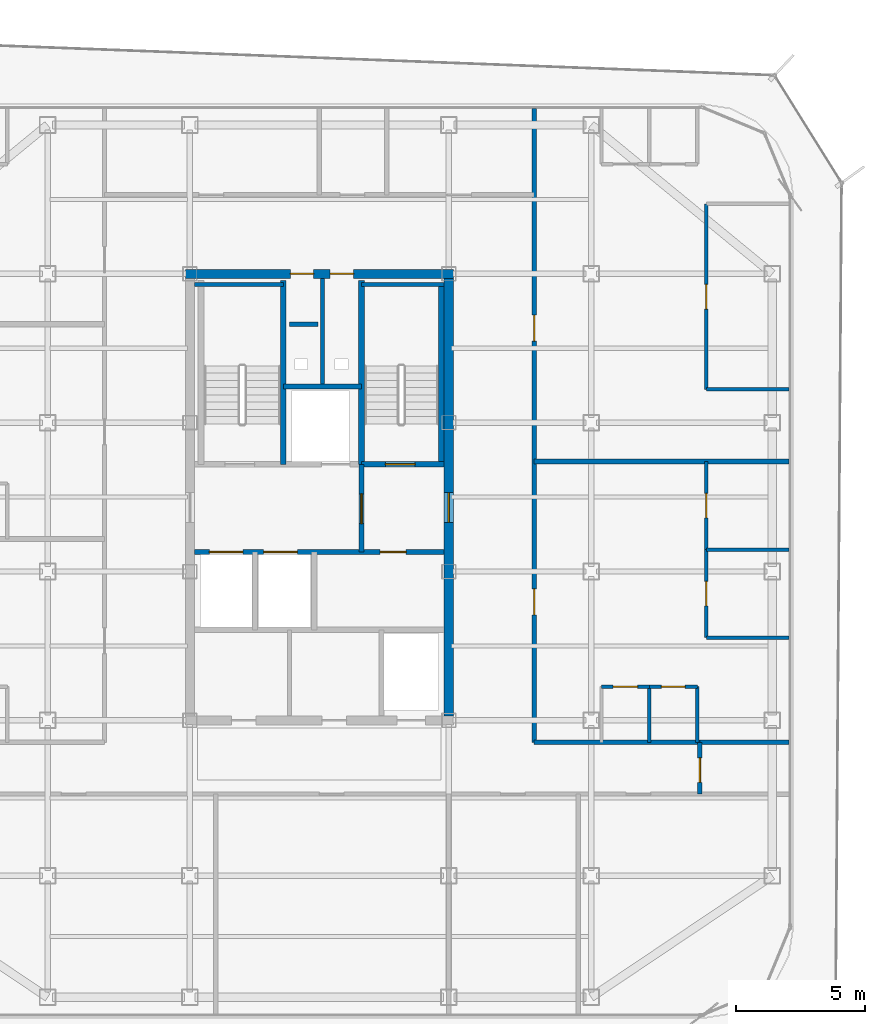
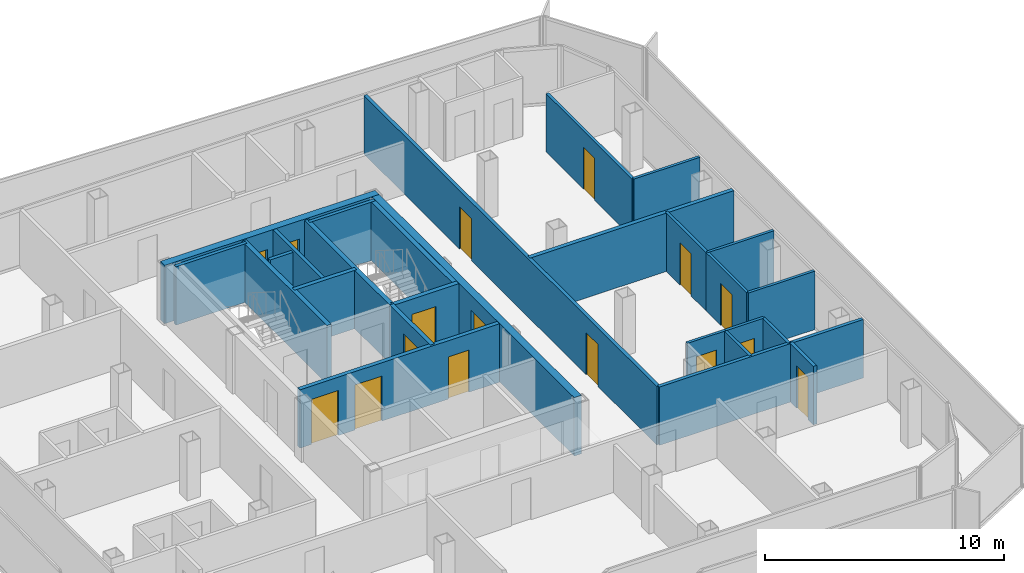
# One storey, part 11 of 15: 28 walls, 16 doors, 16 openings.
"""IFC4 building model written with IfcOpenShell, lengths in metres."""

from ifc_helpers import new_model, si_unit, direction, frame, frame_2d, origin, place, context, subcontext, project, spatial, rectangle, extrude, material, layer, layer_set, type_object, element, fill, save


model = new_model("IFC4")

# Units and contexts
model_context = context("Model", 3, precision=1e-05, world=origin(), true_north=direction((0.0, 1.0)))
body_context = subcontext(model_context, "Body", "Model", "MODEL_VIEW")
ifc_project = project(units=[si_unit("LENGTHUNIT", "METRE"), si_unit("AREAUNIT", "SQUARE_METRE"), si_unit("VOLUMEUNIT", "CUBIC_METRE"), si_unit("PLANEANGLEUNIT", "RADIAN"), si_unit("MASSUNIT", "GRAM", prefix="KILO")], contexts=[model_context])

# Site, building, storey
site_placement = place(None, origin())
site = spatial("IfcSite", under=ifc_project, at=site_placement, CompositionType="ELEMENT")
building_placement = place(site_placement, origin())
building = spatial("IfcBuilding", under=site, at=building_placement, Name="Kolveth Station Tower", CompositionType="ELEMENT")
storey_placement = place(building_placement, frame((0.0, 0.0, 229.699951171875)))
storey = spatial("IfcBuildingStorey", under=building, at=storey_placement, Name="L65", CompositionType="ELEMENT", Elevation=229.699951171875)

# Wall, openings, doors
ifc_material_1 = material(Name="Concrete C50/60", Category="concrete")
ifc_layer_1 = layer(ifc_material_1, 0.35009765625)
ifc_layer_set_1 = layer_set([ifc_layer_1], Name="Concrete C50/60")
wall_type_1 = type_object("IfcWallType", Name="Wall_CW-350", PredefinedType="SHEAR", material=ifc_layer_set_1)
wall_1_placement = place(storey_placement, frame((18.324951171875, 28.75, 0.0), z_axis=(0.0, 0.0, 1.0), x_axis=(1.0, 0.0, 0.0)))
wall_1 = element("IfcWall", 1, at=wall_1_placement, inside=storey, type_object=wall_type_1, Name="L65 Core RC Shear Wall N", PredefinedType="SHEAR", context=body_context, shape_type="SweptSolid", body=[
    extrude(rectangle(XDim=10.35009765625, YDim=0.35009765625, at=frame_2d((5.175048828125, 0.0))), origin(), (0.0, 0.0, 1.0), 2.97998046875),
])
opening_1_placement = place(wall_1_placement, frame((4.054931640625, 0.0, 0.0)))
opening_1 = element("IfcOpeningElement", 2, at=opening_1_placement, cuts=wall_1, Name="Opening RD1", PredefinedType="OPENING", context=body_context, shape_type="SweptSolid", body=[
    extrude(rectangle(XDim=0.89990234375, YDim=2.050048828125, at=frame_2d((0.449951171875, 1.02490234375))), frame((0.0, 0.18505859375, 0.0), z_axis=(0.0, -1.0, 0.0), x_axis=(1.0, 0.0, 0.0)), (0.0, 0.0, 1.0), 0.3701171875),
])
opening_2_placement = place(wall_1_placement, frame((5.594970703125, 0.0, 0.0)))
opening_2 = element("IfcOpeningElement", 3, at=opening_2_placement, cuts=wall_1, Name="Opening RD1", PredefinedType="OPENING", context=body_context, shape_type="SweptSolid", body=[
    extrude(rectangle(XDim=0.89990234375, YDim=2.050048828125, at=frame_2d((0.449951171875, 1.02490234375))), frame((0.0, 0.18505859375, 0.0), z_axis=(0.0, -1.0, 0.0), x_axis=(1.0, 0.0, 0.0)), (0.0, 0.0, 1.0), 0.3701171875),
])
ifc_material_2 = material(Name="Fire-rated Steel S355 riser access leaf", Category="steel")
door_type_1 = type_object("IfcDoorType", Name="Door_RD1", OperationType="NOTDEFINED", PredefinedType="DOOR", material=ifc_material_2)
door_1_placement = place(opening_1_placement, origin())
door_1 = element("IfcDoor", 4, at=door_1_placement, inside=storey, type_object=door_type_1, Name="L65 Electrical Riser Access Door", OperationType="SINGLE_SWING_LEFT", OverallHeight=2.050048828125, OverallWidth=0.89990234375, PredefinedType="DOOR", context=body_context, shape_type="SweptSolid", body=[
    extrude(rectangle(XDim=0.89990234375, YDim=2.050048828125, at=frame_2d((0.449951171875, 1.02490234375))), frame((0.0, 0.02490234375, 0.0), z_axis=(0.0, -1.0, 0.0), x_axis=(1.0, 0.0, 0.0)), (0.0, 0.0, 1.0), 0.050048828125),
])
fill(opening_1, door_1)
door_2_placement = place(opening_2_placement, origin())
door_2 = element("IfcDoor", 5, at=door_2_placement, inside=storey, type_object=door_type_1, Name="L65 Smoke Duct Access Door", OperationType="SINGLE_SWING_RIGHT", OverallHeight=2.050048828125, OverallWidth=0.89990234375, PredefinedType="DOOR", context=body_context, shape_type="SweptSolid", body=[
    extrude(rectangle(XDim=0.89990234375, YDim=2.050048828125, at=frame_2d((0.449951171875, 1.02490234375))), frame((0.0, 0.02490234375, 0.0), z_axis=(0.0, -1.0, 0.0), x_axis=(1.0, 0.0, 0.0)), (0.0, 0.0, 1.0), 0.050048828125),
])
fill(opening_2, door_2)

# Wall, opening, door
wall_2_placement = place(storey_placement, frame((28.5, 11.675048828125, 0.0), z_axis=(0.0, 0.0, 1.0), x_axis=(0.0, 1.0, 0.0)))
wall_2 = element("IfcWall", 6, at=wall_2_placement, inside=storey, type_object=wall_type_1, Name="L65 Core RC Shear Wall E", PredefinedType="SHEAR", context=body_context, shape_type="SweptSolid", body=[
    extrude(rectangle(XDim=16.89990234375, YDim=0.35009765625, at=frame_2d((8.449951171875, 0.0))), origin(), (0.0, 0.0, 1.0), 2.97998046875),
])
opening_3_placement = place(wall_2_placement, frame((7.47509765625, 0.0, 0.0)))
opening_3 = element("IfcOpeningElement", 7, at=opening_3_placement, cuts=wall_2, Name="Opening FD1", PredefinedType="OPENING", context=body_context, shape_type="SweptSolid", body=[
    extrude(rectangle(XDim=1.14990234375, YDim=2.199951171875, at=frame_2d((0.574951171875, 1.10009765625))), frame((0.0, 0.18505859375, 0.0), z_axis=(0.0, -1.0, 0.0), x_axis=(1.0, 0.0, 0.0)), (0.0, 0.0, 1.0), 0.3701171875),
])
ifc_material_3 = material(Name="Fire-rated Steel S355 leaf and frame", Category="steel")
door_type_2 = type_object("IfcDoorType", Name="Door_FD1", OperationType="NOTDEFINED", PredefinedType="DOOR", material=ifc_material_3)
door_3_placement = place(opening_3_placement, origin())
door_3 = element("IfcDoor", 8, at=door_3_placement, inside=storey, type_object=door_type_2, Name="L65 East Corridor to Stair Lobby Door", OperationType="SINGLE_SWING_LEFT", OverallHeight=2.199951171875, OverallWidth=1.14990234375, PredefinedType="DOOR", context=body_context, shape_type="SweptSolid", body=[
    extrude(rectangle(XDim=1.14990234375, YDim=2.199951171875, at=frame_2d((0.574951171875, 1.10009765625))), frame((0.0, 0.02490234375, 0.0), z_axis=(0.0, -1.0, 0.0), x_axis=(1.0, 0.0, 0.0)), (0.0, 0.0, 1.0), 0.050048828125),
])
fill(opening_3, door_3)

ifc_material_4 = material(Name="Moisture-resistant gypsum partition")
ifc_layer_2 = layer(ifc_material_4, 0.135009765625)
ifc_layer_set_2 = layer_set([ifc_layer_2], Name="Moisture-resistant gypsum partition")
wall_type_2 = type_object("IfcWallType", Name="Wall_IW-135", PredefinedType="PARTITIONING", material=ifc_layer_set_2)
wall_3_placement = place(storey_placement, frame((34.39990234375, 12.800048828125, 0.0), z_axis=(0.0, 0.0, 1.0), x_axis=(1.0, 0.0, 0.0)))
wall_3 = element("IfcWall", 9, at=wall_3_placement, inside=storey, type_object=wall_type_2, Name="L65 Partition Wall WL-L65-E1-IBHK", PredefinedType="PARTITIONING", context=body_context, shape_type="SweptSolid", body=[
    extrude(rectangle(XDim=1.85009765625, YDim=0.135009765625, at=frame_2d((0.925048828125, 0.0))), origin(), (0.0, 0.0, 1.0), 2.97998046875),
])
opening_4_placement = place(wall_3_placement, frame((0.445068359375, 0.0, 0.0)))
opening_4 = element("IfcOpeningElement", 10, at=opening_4_placement, cuts=wall_3, Name="Opening ID1", PredefinedType="OPENING", context=body_context, shape_type="SweptSolid", body=[
    extrude(rectangle(XDim=0.949951171875, YDim=2.14990234375, at=frame_2d((0.47509765625, 1.074951171875))), frame((0.0, 0.077392578125, 0.0), z_axis=(0.0, -1.0, 0.0), x_axis=(1.0, 0.0, 0.0)), (0.0, 0.0, 1.0), 0.155029296875),
])
ifc_material_5 = material(Name="Acoustic hardwood leaf and aluminium frame", Category="wood")
door_type_3 = type_object("IfcDoorType", Name="Door_ID1", OperationType="NOTDEFINED", PredefinedType="DOOR", material=ifc_material_5)
door_4_placement = place(opening_4_placement, origin())
door_4 = element("IfcDoor", 11, at=door_4_placement, inside=storey, type_object=door_type_3, Name="Penthouse Flat L65-E1 Kitchen Door", OperationType="SINGLE_SWING_LEFT", OverallHeight=2.14990234375, OverallWidth=0.949951171875, PredefinedType="DOOR", context=body_context, shape_type="SweptSolid", body=[
    extrude(rectangle(XDim=0.949951171875, YDim=2.14990234375, at=frame_2d((0.47509765625, 1.074951171875))), frame((0.0, 0.02490234375, 0.0), z_axis=(0.0, -1.0, 0.0), x_axis=(1.0, 0.0, 0.0)), (0.0, 0.0, 1.0), 0.050048828125),
])
fill(opening_4, door_4)

wall_4_placement = place(storey_placement, frame((36.25, 12.800048828125, 0.0), z_axis=(0.0, 0.0, 1.0), x_axis=(1.0, 0.0, 0.0)))
wall_4 = element("IfcWall", 12, at=wall_4_placement, inside=storey, type_object=wall_type_2, Name="L65 Partition Wall WL-L65-E1-IBHB", PredefinedType="PARTITIONING", context=body_context, shape_type="SweptSolid", body=[
    extrude(rectangle(XDim=1.85009765625, YDim=0.135009765625, at=frame_2d((0.925048828125, 0.0))), origin(), (0.0, 0.0, 1.0), 2.97998046875),
])
opening_5_placement = place(wall_4_placement, frame((0.465087890625, 0.0, 0.0)))
opening_5 = element("IfcOpeningElement", 13, at=opening_5_placement, cuts=wall_4, Name="Opening ID2", PredefinedType="OPENING", context=body_context, shape_type="SweptSolid", body=[
    extrude(rectangle(XDim=0.919921875, YDim=2.10009765625, at=frame_2d((0.4599609375, 1.050048828125))), frame((0.0, 0.077392578125, 0.0), z_axis=(0.0, -1.0, 0.0), x_axis=(1.0, 0.0, 0.0)), (0.0, 0.0, 1.0), 0.155029296875),
])
ifc_material_6 = material(Name="Moisture-resistant hardwood leaf", Category="wood")
door_type_4 = type_object("IfcDoorType", Name="Door_ID2", OperationType="NOTDEFINED", PredefinedType="DOOR", material=ifc_material_6)
door_5_placement = place(opening_5_placement, origin())
door_5 = element("IfcDoor", 14, at=door_5_placement, inside=storey, type_object=door_type_4, Name="Penthouse Flat L65-E1 Bathroom Door", OperationType="SINGLE_SWING_LEFT", OverallHeight=2.10009765625, OverallWidth=0.919921875, PredefinedType="DOOR", context=body_context, shape_type="SweptSolid", body=[
    extrude(rectangle(XDim=0.919921875, YDim=2.10009765625, at=frame_2d((0.4599609375, 1.050048828125))), frame((0.0, 0.02490234375, 0.0), z_axis=(0.0, -1.0, 0.0), x_axis=(1.0, 0.0, 0.0)), (0.0, 0.0, 1.0), 0.050048828125),
])
fill(opening_5, door_5)

# Walls
for number, where, z_axis, x_axis, name in (
    (15, (36.25, 10.64990234375, 0.0), (0.0, 0.0, 1.0), (0.0, 1.0, 0.0), "L65 Partition Wall WL-L65-E1-IBV1"),
    (16, (38.10009765625, 10.64990234375, 0.0), (0.0, 0.0, 1.0), (0.0, 1.0, 0.0), "L65 Partition Wall WL-L65-E1-IBV2"),
):
    element("IfcWall", number, at=place(storey_placement, frame(where, z_axis=z_axis, x_axis=x_axis)), inside=storey, type_object=wall_type_2, Name=name, PredefinedType="PARTITIONING", context=body_context, shape_type="SweptSolid", body=[
        extrude(rectangle(XDim=2.150146484375, YDim=0.135009765625, at=frame_2d((1.0751953125, 0.0))), origin(), (0.0, 0.0, 1.0), 2.97998046875),
    ])
wall_5_placement = place(storey_placement, frame((38.449951171875, 14.699951171875, 0.0), z_axis=(0.0, 0.0, 1.0), x_axis=(1.0, 0.0, 0.0)))
element("IfcWall", 17, at=wall_5_placement, inside=storey, type_object=wall_type_2, Name="L65 Partition Wall WL-L65-E1-BDH0", PredefinedType="PARTITIONING", context=body_context, shape_type="SweptSolid", body=[
    extrude(rectangle(XDim=3.18994140625, YDim=0.135009765625, at=frame_2d((1.594970703125, 0.0))), origin(), (0.0, 0.0, 1.0), 2.97998046875),
])

# Wall, opening, door
wall_6_placement = place(storey_placement, frame((38.449951171875, 14.699951171875, 0.0), z_axis=(0.0, 0.0, 1.0), x_axis=(0.0, 1.0, 0.0)))
wall_6 = element("IfcWall", 18, at=wall_6_placement, inside=storey, type_object=wall_type_2, Name="L65 Partition Wall WL-L65-E1-BDV1", PredefinedType="PARTITIONING", context=body_context, shape_type="SweptSolid", body=[
    extrude(rectangle(XDim=3.400146484375, YDim=0.135009765625, at=frame_2d((1.7001953125, 0.0))), origin(), (0.0, 0.0, 1.0), 2.97998046875),
])
opening_6_placement = place(wall_6_placement, frame((1.219970703125, 0.0, 0.0)))
opening_6 = element("IfcOpeningElement", 19, at=opening_6_placement, cuts=wall_6, Name="Opening ID1", PredefinedType="OPENING", context=body_context, shape_type="SweptSolid", body=[
    extrude(rectangle(XDim=0.949951171875, YDim=2.14990234375, at=frame_2d((0.47509765625, 1.074951171875))), frame((0.0, 0.077392578125, 0.0), z_axis=(0.0, -1.0, 0.0), x_axis=(1.0, 0.0, 0.0)), (0.0, 0.0, 1.0), 0.155029296875),
])
door_6_placement = place(opening_6_placement, frame((0.949951171875, 0.0, 0.0), z_axis=(0.0, 0.0, 1.0), x_axis=(-1.0, 0.0, 0.0)))
door_6 = element("IfcDoor", 20, at=door_6_placement, inside=storey, type_object=door_type_3, Name="Penthouse Flat L65-E1 Bedroom 1 Door", OperationType="SINGLE_SWING_RIGHT", OverallHeight=2.14990234375, OverallWidth=0.949951171875, PredefinedType="DOOR", context=body_context, shape_type="SweptSolid", body=[
    extrude(rectangle(XDim=0.949951171875, YDim=2.14990234375, at=frame_2d((0.47509765625, 1.074951171875))), frame((0.0, 0.02490234375, 0.0), z_axis=(0.0, -1.0, 0.0), x_axis=(1.0, 0.0, 0.0)), (0.0, 0.0, 1.0), 0.050048828125),
])
fill(opening_6, door_6)

wall_7_placement = place(storey_placement, frame((38.449951171875, 18.10009765625, 0.0), z_axis=(0.0, 0.0, 1.0), x_axis=(0.0, 1.0, 0.0)))
wall_7 = element("IfcWall", 21, at=wall_7_placement, inside=storey, type_object=wall_type_2, Name="L65 Partition Wall WL-L65-E1-BDV2", PredefinedType="PARTITIONING", context=body_context, shape_type="SweptSolid", body=[
    extrude(rectangle(XDim=3.39990234375, YDim=0.135009765625, at=frame_2d((1.699951171875, 0.0))), origin(), (0.0, 0.0, 1.0), 2.97998046875),
])
opening_7_placement = place(wall_7_placement, frame((1.219970703125, 0.0, 0.0)))
opening_7 = element("IfcOpeningElement", 22, at=opening_7_placement, cuts=wall_7, Name="Opening ID1", PredefinedType="OPENING", context=body_context, shape_type="SweptSolid", body=[
    extrude(rectangle(XDim=0.949951171875, YDim=2.14990234375, at=frame_2d((0.47509765625, 1.074951171875))), frame((0.0, 0.077392578125, 0.0), z_axis=(0.0, -1.0, 0.0), x_axis=(1.0, 0.0, 0.0)), (0.0, 0.0, 1.0), 0.155029296875),
])
door_7_placement = place(opening_7_placement, frame((0.949951171875, 0.0, 0.0), z_axis=(0.0, 0.0, 1.0), x_axis=(-1.0, 0.0, 0.0)))
door_7 = element("IfcDoor", 23, at=door_7_placement, inside=storey, type_object=door_type_3, Name="Penthouse Flat L65-E1 Bedroom 2 Door", OperationType="SINGLE_SWING_LEFT", OverallHeight=2.14990234375, OverallWidth=0.949951171875, PredefinedType="DOOR", context=body_context, shape_type="SweptSolid", body=[
    extrude(rectangle(XDim=0.949951171875, YDim=2.14990234375, at=frame_2d((0.47509765625, 1.074951171875))), frame((0.0, 0.02490234375, 0.0), z_axis=(0.0, -1.0, 0.0), x_axis=(1.0, 0.0, 0.0)), (0.0, 0.0, 1.0), 0.050048828125),
])
fill(opening_7, door_7)

# Walls
for number, where, z_axis, x_axis, name in (
    (24, (38.449951171875, 18.10009765625, 0.0), (0.0, 0.0, 1.0), (1.0, 0.0, 0.0), "L65 Partition Wall WL-L65-E1-BDH1"),
    (25, (38.449951171875, 24.285888671875, 0.0), (0.0, 0.0, 1.0), (1.0, 0.0, 0.0), "L65 Partition Wall WL-L65-E2-BDH0"),
):
    element("IfcWall", number, at=place(storey_placement, frame(where, z_axis=z_axis, x_axis=x_axis)), inside=storey, type_object=wall_type_2, Name=name, PredefinedType="PARTITIONING", context=body_context, shape_type="SweptSolid", body=[
        extrude(rectangle(XDim=3.18994140625, YDim=0.135009765625, at=frame_2d((1.594970703125, 0.0))), origin(), (0.0, 0.0, 1.0), 2.97998046875),
    ])

# Wall, opening, door
wall_8_placement = place(storey_placement, frame((38.449951171875, 24.285888671875, 0.0), z_axis=(0.0, 0.0, 1.0), x_axis=(0.0, 1.0, 0.0)))
wall_8 = element("IfcWall", 26, at=wall_8_placement, inside=storey, type_object=wall_type_2, Name="L65 Partition Wall WL-L65-E2-BDV1", PredefinedType="PARTITIONING", context=body_context, shape_type="SweptSolid", body=[
    extrude(rectangle(XDim=7.1640625, YDim=0.135009765625, at=frame_2d((3.58203125, 0.0))), origin(), (0.0, 0.0, 1.0), 2.97998046875),
])
opening_8_placement = place(wall_8_placement, frame((3.10205078125, 0.0, 0.0)))
opening_8 = element("IfcOpeningElement", 27, at=opening_8_placement, cuts=wall_8, Name="Opening ID1", PredefinedType="OPENING", context=body_context, shape_type="SweptSolid", body=[
    extrude(rectangle(XDim=0.949951171875, YDim=2.14990234375, at=frame_2d((0.47509765625, 1.074951171875))), frame((0.0, 0.077392578125, 0.0), z_axis=(0.0, -1.0, 0.0), x_axis=(1.0, 0.0, 0.0)), (0.0, 0.0, 1.0), 0.155029296875),
])
door_8_placement = place(opening_8_placement, frame((0.949951171875, 0.0, 0.0), z_axis=(0.0, 0.0, 1.0), x_axis=(-1.0, 0.0, 0.0)))
door_8 = element("IfcDoor", 28, at=door_8_placement, inside=storey, type_object=door_type_3, Name="Penthouse Flat L65-E2 Bedroom 1 Door", OperationType="SINGLE_SWING_LEFT", OverallHeight=2.14990234375, OverallWidth=0.949951171875, PredefinedType="DOOR", context=body_context, shape_type="SweptSolid", body=[
    extrude(rectangle(XDim=0.949951171875, YDim=2.14990234375, at=frame_2d((0.47509765625, 1.074951171875))), frame((0.0, 0.02490234375, 0.0), z_axis=(0.0, -1.0, 0.0), x_axis=(1.0, 0.0, 0.0)), (0.0, 0.0, 1.0), 0.050048828125),
])
fill(opening_8, door_8)

# Walls
ifc_material_7 = material(Name="Acoustic double-stud gypsum partition")
ifc_layer_3 = layer(ifc_material_7, 0.1650390625)
ifc_layer_set_3 = layer_set([ifc_layer_3], Name="Acoustic double-stud gypsum partition")
wall_type_3 = type_object("IfcWallType", Name="Wall_IW-165", PredefinedType="PARTITIONING", material=ifc_layer_set_3)
wall_9_placement = place(storey_placement, frame((18.68505859375, 28.3349609375, 0.0), z_axis=(0.0, 0.0, 1.0), x_axis=(1.0, 0.0, 0.0)))
element("IfcWall", 29, at=wall_9_placement, inside=storey, type_object=wall_type_3, Name="L65 Stair Shaft Wall WL-L65-ST1-N", PredefinedType="PARTITIONING", context=body_context, shape_type="SweptSolid", body=[
    extrude(rectangle(XDim=3.425048828125, YDim=0.1650390625, at=frame_2d((1.71240234375, 0.0))), origin(), (0.0, 0.0, 1.0), 2.97998046875),
])
wall_10_placement = place(storey_placement, frame((25.1298828125, 28.3349609375, 0.0), z_axis=(0.0, 0.0, 1.0), x_axis=(1.0, 0.0, 0.0)))
element("IfcWall", 30, at=wall_10_placement, inside=storey, type_object=wall_type_3, Name="L65 Stair Shaft Wall WL-L65-ST2-N", PredefinedType="PARTITIONING", context=body_context, shape_type="SweptSolid", body=[
    extrude(rectangle(XDim=3.18505859375, YDim=0.1650390625, at=frame_2d((1.592529296875, 0.0))), origin(), (0.0, 0.0, 1.0), 2.97998046875),
])
wall_11_placement = place(storey_placement, frame((23.6201171875, 24.39990234375, 0.0), z_axis=(0.0, 0.0, 1.0), x_axis=(0.0, 1.0, 0.0)))
element("IfcWall", 31, at=wall_11_placement, inside=storey, type_object=wall_type_3, Name="L65 Partition Wall WL-L65-RSR-M", PredefinedType="PARTITIONING", context=body_context, shape_type="SweptSolid", body=[
    extrude(rectangle(XDim=4.1650390625, YDim=0.1650390625, at=frame_2d((2.08251953125, 0.0))), origin(), (0.0, 0.0, 1.0), 2.97998046875),
])
wall_12_placement = place(storey_placement, frame((31.800048828125, 10.64990234375, 0.0), z_axis=(0.0, 0.0, 1.0), x_axis=(1.0, 0.0, 0.0)))
element("IfcWall", 32, at=wall_12_placement, inside=storey, type_object=wall_type_3, Name="L65 Partition Wall WL-L65-RSET", PredefinedType="PARTITIONING", context=body_context, shape_type="SweptSolid", body=[
    extrude(rectangle(XDim=6.39990234375, YDim=0.1650390625, at=frame_2d((3.199951171875, 0.0))), origin(), (0.0, 0.0, 1.0), 2.97998046875),
])

# Wall, opening, door
wall_13_placement = place(storey_placement, frame((38.199951171875, 8.64990234375, 0.0), z_axis=(0.0, 0.0, 1.0), x_axis=(0.0, 1.0, 0.0)))
wall_13 = element("IfcWall", 33, at=wall_13_placement, inside=storey, type_object=wall_type_3, Name="L65 Partition Wall WL-L65-RSEE", PredefinedType="PARTITIONING", context=body_context, shape_type="SweptSolid", body=[
    extrude(rectangle(XDim=2.0, YDim=0.1650390625, at=frame_2d((1.0, 0.0))), origin(), (0.0, 0.0, 1.0), 2.97998046875),
])
opening_9_placement = place(wall_13_placement, frame((0.449951171875, 0.0, 0.0)))
opening_9 = element("IfcOpeningElement", 34, at=opening_9_placement, cuts=wall_13, Name="Opening ID1", PredefinedType="OPENING", context=body_context, shape_type="SweptSolid", body=[
    extrude(rectangle(XDim=0.949951171875, YDim=2.14990234375, at=frame_2d((0.47509765625, 1.074951171875))), frame((0.0, 0.092529296875, 0.0), z_axis=(0.0, -1.0, 0.0), x_axis=(1.0, 0.0, 0.0)), (0.0, 0.0, 1.0), 0.18505859375),
])
door_9_placement = place(opening_9_placement, origin())
door_9 = element("IfcDoor", 35, at=door_9_placement, inside=storey, type_object=door_type_3, Name="L65 Hobby Study Door", OperationType="SINGLE_SWING_LEFT", OverallHeight=2.14990234375, OverallWidth=0.949951171875, PredefinedType="DOOR", context=body_context, shape_type="SweptSolid", body=[
    extrude(rectangle(XDim=0.949951171875, YDim=2.14990234375, at=frame_2d((0.47509765625, 1.074951171875))), frame((0.0, 0.02490234375, 0.0), z_axis=(0.0, -1.0, 0.0), x_axis=(1.0, 0.0, 0.0)), (0.0, 0.0, 1.0), 0.050048828125),
])
fill(opening_9, door_9)

# Wall, openings, doors
wall_14_placement = place(storey_placement, frame((31.800048828125, 10.64990234375, 0.0), z_axis=(0.0, 0.0, 1.0), x_axis=(0.0, 1.0, 0.0)))
wall_14 = element("IfcWall", 36, at=wall_14_placement, inside=storey, type_object=wall_type_3, Name="L65 Partition Wall WL-L65-RE", PredefinedType="PARTITIONING", context=body_context, shape_type="SweptSolid", body=[
    extrude(rectangle(XDim=24.489990234375, YDim=0.1650390625, at=frame_2d((12.2451171875, 0.0))), origin(), (0.0, 0.0, 1.0), 2.97998046875),
])
opening_10_placement = place(wall_14_placement, frame((4.925048828125, 0.0, 0.0)))
opening_10 = element("IfcOpeningElement", 37, at=opening_10_placement, cuts=wall_14, Name="Opening FD3", PredefinedType="OPENING", context=body_context, shape_type="SweptSolid", body=[
    extrude(rectangle(XDim=1.0, YDim=2.14990234375, at=frame_2d((0.5, 1.074951171875))), frame((0.0, 0.092529296875, 0.0), z_axis=(0.0, -1.0, 0.0), x_axis=(1.0, 0.0, 0.0)), (0.0, 0.0, 1.0), 0.18505859375),
])
opening_11_placement = place(wall_14_placement, frame((15.5, 0.0, 0.0)))
opening_11 = element("IfcOpeningElement", 38, at=opening_11_placement, cuts=wall_14, Name="Opening FD3", PredefinedType="OPENING", context=body_context, shape_type="SweptSolid", body=[
    extrude(rectangle(XDim=1.0, YDim=2.14990234375, at=frame_2d((0.5, 1.074951171875))), frame((0.0, 0.092529296875, 0.0), z_axis=(0.0, -1.0, 0.0), x_axis=(1.0, 0.0, 0.0)), (0.0, 0.0, 1.0), 0.18505859375),
])
ifc_material_8 = material(Name="Fire-rated hardwood leaf and aluminium frame", Category="wood")
door_type_5 = type_object("IfcDoorType", Name="Door_FD3", OperationType="NOTDEFINED", PredefinedType="DOOR", material=ifc_material_8)
door_10_placement = place(opening_10_placement, frame((1.0, 0.0, 0.0), z_axis=(0.0, 0.0, 1.0), x_axis=(-1.0, 0.0, 0.0)))
door_10 = element("IfcDoor", 39, at=door_10_placement, inside=storey, type_object=door_type_5, Name="Penthouse Flat L65-E1 Entrance Door", OperationType="SINGLE_SWING_RIGHT", OverallHeight=2.14990234375, OverallWidth=1.0, PredefinedType="DOOR", context=body_context, shape_type="SweptSolid", body=[
    extrude(rectangle(XDim=1.0, YDim=2.14990234375, at=frame_2d((0.5, 1.074951171875))), frame((0.0, 0.02490234375, 0.0), z_axis=(0.0, -1.0, 0.0), x_axis=(1.0, 0.0, 0.0)), (0.0, 0.0, 1.0), 0.050048828125),
])
fill(opening_10, door_10)
door_11_placement = place(opening_11_placement, frame((1.0, 0.0, 0.0), z_axis=(0.0, 0.0, 1.0), x_axis=(-1.0, 0.0, 0.0)))
door_11 = element("IfcDoor", 40, at=door_11_placement, inside=storey, type_object=door_type_5, Name="Penthouse Flat L65-E2 Entrance Door", OperationType="SINGLE_SWING_RIGHT", OverallHeight=2.14990234375, OverallWidth=1.0, PredefinedType="DOOR", context=body_context, shape_type="SweptSolid", body=[
    extrude(rectangle(XDim=1.0, YDim=2.14990234375, at=frame_2d((0.5, 1.074951171875))), frame((0.0, 0.02490234375, 0.0), z_axis=(0.0, -1.0, 0.0), x_axis=(1.0, 0.0, 0.0)), (0.0, 0.0, 1.0), 0.050048828125),
])
fill(opening_11, door_11)

# Walls
wall_15_placement = place(storey_placement, frame((38.199951171875, 10.64990234375, 0.0), z_axis=(0.0, 0.0, 1.0), x_axis=(1.0, 0.0, 0.0)))
element("IfcWall", 41, at=wall_15_placement, inside=storey, type_object=wall_type_3, Name="L65 Partition Wall WL-L65-ESTN", PredefinedType="PARTITIONING", context=body_context, shape_type="SweptSolid", body=[
    extrude(rectangle(XDim=3.43994140625, YDim=0.1650390625, at=frame_2d((1.719970703125, 0.0))), origin(), (0.0, 0.0, 1.0), 2.97998046875),
])
wall_16_placement = place(storey_placement, frame((22.35009765625, 26.800048828125, 0.0), z_axis=(0.0, 0.0, 1.0), x_axis=(1.0, 0.0, 0.0)))
element("IfcWall", 42, at=wall_16_placement, inside=storey, type_object=wall_type_3, Name="L65 Acoustic Riser Dry-Lining Wall", PredefinedType="PARTITIONING", context=body_context, shape_type="SweptSolid", body=[
    extrude(rectangle(XDim=1.099853515625, YDim=0.1650390625, at=frame_2d((0.5498046875, 0.0))), origin(), (0.0, 0.0, 1.0), 2.97998046875),
])
ifc_material_9 = material(Name="Acoustic fire-rated gypsum blockwork", Category="masonry")
ifc_layer_4 = layer(ifc_material_9, 0.199951171875)
ifc_layer_set_4 = layer_set([ifc_layer_4], Name="Acoustic fire-rated gypsum blockwork")
wall_type_4 = type_object("IfcWallType", Name="Wall_IW-200", PredefinedType="PARTITIONING", material=ifc_layer_set_4)
wall_17_placement = place(storey_placement, frame((22.110107421875, 24.39990234375, 0.0), z_axis=(0.0, 0.0, 1.0), x_axis=(1.0, 0.0, 0.0)))
element("IfcWall", 43, at=wall_17_placement, inside=storey, type_object=wall_type_4, Name="L65 Partition Wall WL-L65-RSR-S", PredefinedType="PARTITIONING", context=body_context, shape_type="SweptSolid", body=[
    extrude(rectangle(XDim=3.019775390625, YDim=0.199951171875, at=frame_2d((1.509765625, 0.0))), origin(), (0.0, 0.0, 1.0), 2.97998046875),
])

# Wall, opening, door
wall_18_placement = place(storey_placement, frame((25.1298828125, 18.0, 0.0), z_axis=(0.0, 0.0, 1.0), x_axis=(0.0, 1.0, 0.0)))
wall_18 = element("IfcWall", 44, at=wall_18_placement, inside=storey, type_object=wall_type_4, Name="L65 Partition Wall WL-L65-FFL-E", PredefinedType="PARTITIONING", context=body_context, shape_type="SweptSolid", body=[
    extrude(rectangle(XDim=3.389892578125, YDim=0.199951171875, at=frame_2d((1.69482421875, 0.0))), origin(), (0.0, 0.0, 1.0), 2.97998046875),
])
opening_12_placement = place(wall_18_placement, frame((1.10009765625, 0.0, 0.0)))
opening_12 = element("IfcOpeningElement", 45, at=opening_12_placement, cuts=wall_18, Name="Opening FD1", PredefinedType="OPENING", context=body_context, shape_type="SweptSolid", body=[
    extrude(rectangle(XDim=1.14990234375, YDim=2.199951171875, at=frame_2d((0.574951171875, 1.10009765625))), frame((0.0, 0.10986328125, 0.0), z_axis=(0.0, -1.0, 0.0), x_axis=(1.0, 0.0, 0.0)), (0.0, 0.0, 1.0), 0.219970703125),
])
door_12_placement = place(opening_12_placement, origin())
door_12 = element("IfcDoor", 46, at=door_12_placement, inside=storey, type_object=door_type_2, Name="L65 Firefighting to Stair Lobby Door", OperationType="SINGLE_SWING_LEFT", OverallHeight=2.199951171875, OverallWidth=1.14990234375, PredefinedType="DOOR", context=body_context, shape_type="SweptSolid", body=[
    extrude(rectangle(XDim=1.14990234375, YDim=2.199951171875, at=frame_2d((0.574951171875, 1.10009765625))), frame((0.0, 0.02490234375, 0.0), z_axis=(0.0, -1.0, 0.0), x_axis=(1.0, 0.0, 0.0)), (0.0, 0.0, 1.0), 0.050048828125),
])
fill(opening_12, door_12)

# Wall, openings, doors
wall_19_placement = place(storey_placement, frame((18.68505859375, 18.0, 0.0), z_axis=(0.0, 0.0, 1.0), x_axis=(1.0, 0.0, 0.0)))
wall_19 = element("IfcWall", 47, at=wall_19_placement, inside=storey, type_object=wall_type_4, Name="L65 Partition Wall WL-L65-FFL-S", PredefinedType="PARTITIONING", context=body_context, shape_type="SweptSolid", body=[
    extrude(rectangle(XDim=9.6298828125, YDim=0.199951171875, at=frame_2d((4.81494140625, 0.0))), origin(), (0.0, 0.0, 1.0), 2.97998046875),
])
opening_13_placement = place(wall_19_placement, frame((0.56494140625, 0.0, 0.0)))
opening_13 = element("IfcOpeningElement", 48, at=opening_13_placement, cuts=wall_19, Name="Opening LD2", PredefinedType="OPENING", context=body_context, shape_type="SweptSolid", body=[
    extrude(rectangle(XDim=1.300048828125, YDim=2.300048828125, at=frame_2d((0.64990234375, 1.14990234375))), frame((0.0, 0.10986328125, 0.0), z_axis=(0.0, -1.0, 0.0), x_axis=(1.0, 0.0, 0.0)), (0.0, 0.0, 1.0), 0.219970703125),
])
opening_14_placement = place(wall_19_placement, frame((2.6650390625, 0.0, 0.0)))
opening_14 = element("IfcOpeningElement", 49, at=opening_14_placement, cuts=wall_19, Name="Opening LD2", PredefinedType="OPENING", context=body_context, shape_type="SweptSolid", body=[
    extrude(rectangle(XDim=1.300048828125, YDim=2.300048828125, at=frame_2d((0.64990234375, 1.14990234375))), frame((0.0, 0.10986328125, 0.0), z_axis=(0.0, -1.0, 0.0), x_axis=(1.0, 0.0, 0.0)), (0.0, 0.0, 1.0), 0.219970703125),
])
opening_15_placement = place(wall_19_placement, frame((7.1650390625, 0.0, 0.0)))
opening_15 = element("IfcOpeningElement", 50, at=opening_15_placement, cuts=wall_19, Name="Opening FD3", PredefinedType="OPENING", context=body_context, shape_type="SweptSolid", body=[
    extrude(rectangle(XDim=1.0, YDim=2.14990234375, at=frame_2d((0.5, 1.074951171875))), frame((0.0, 0.10986328125, 0.0), z_axis=(0.0, -1.0, 0.0), x_axis=(1.0, 0.0, 0.0)), (0.0, 0.0, 1.0), 0.219970703125),
])
door_13_placement = place(opening_15_placement, frame((1.0, 0.0, 0.0), z_axis=(0.0, 0.0, 1.0), x_axis=(-1.0, 0.0, 0.0)))
door_13 = element("IfcDoor", 51, at=door_13_placement, inside=storey, type_object=door_type_5, Name="L65 Core Staff Pantry Door", OperationType="SINGLE_SWING_RIGHT", OverallHeight=2.14990234375, OverallWidth=1.0, PredefinedType="DOOR", context=body_context, shape_type="SweptSolid", body=[
    extrude(rectangle(XDim=1.0, YDim=2.14990234375, at=frame_2d((0.5, 1.074951171875))), frame((0.0, 0.02490234375, 0.0), z_axis=(0.0, -1.0, 0.0), x_axis=(1.0, 0.0, 0.0)), (0.0, 0.0, 1.0), 0.050048828125),
])
fill(opening_15, door_13)
ifc_material_10 = material(Name="Firefighting stainless steel sliding landing doors", Category="steel")
door_type_6 = type_object("IfcDoorType", Name="Door_LD2", OperationType="NOTDEFINED", PredefinedType="DOOR", material=ifc_material_10)
door_14_placement = place(opening_13_placement, origin())
door_14 = element("IfcDoor", 52, at=door_14_placement, inside=storey, type_object=door_type_6, Name="L65 Firefighting Lift FF1 Landing Door", OperationType="DOUBLE_DOOR_SLIDING", OverallHeight=2.300048828125, OverallWidth=1.300048828125, PredefinedType="DOOR", context=body_context, shape_type="SweptSolid", body=[
    extrude(rectangle(XDim=1.300048828125, YDim=2.300048828125, at=frame_2d((0.64990234375, 1.14990234375))), frame((0.0, 0.02490234375, 0.0), z_axis=(0.0, -1.0, 0.0), x_axis=(1.0, 0.0, 0.0)), (0.0, 0.0, 1.0), 0.050048828125),
])
fill(opening_13, door_14)
door_15_placement = place(opening_14_placement, origin())
door_15 = element("IfcDoor", 53, at=door_15_placement, inside=storey, type_object=door_type_6, Name="L65 Firefighting Lift FF2 Landing Door", OperationType="DOUBLE_DOOR_SLIDING", OverallHeight=2.300048828125, OverallWidth=1.300048828125, PredefinedType="DOOR", context=body_context, shape_type="SweptSolid", body=[
    extrude(rectangle(XDim=1.300048828125, YDim=2.300048828125, at=frame_2d((0.64990234375, 1.14990234375))), frame((0.0, 0.02490234375, 0.0), z_axis=(0.0, -1.0, 0.0), x_axis=(1.0, 0.0, 0.0)), (0.0, 0.0, 1.0), 0.050048828125),
])
fill(opening_14, door_15)

# Walls
wall_20_placement = place(storey_placement, frame((31.800048828125, 21.5, 0.0), z_axis=(0.0, 0.0, 1.0), x_axis=(1.0, 0.0, 0.0)))
element("IfcWall", 54, at=wall_20_placement, inside=storey, type_object=wall_type_4, Name="L65 Partition Wall WL-L65-REU-1", PredefinedType="PARTITIONING", context=body_context, shape_type="SweptSolid", body=[
    extrude(rectangle(XDim=9.83984375, YDim=0.199951171875, at=frame_2d((4.919921875, 0.0))), origin(), (0.0, 0.0, 1.0), 2.97998046875),
])
ifc_material_11 = material(Name="Concrete C40/50", Category="concrete")
ifc_layer_5 = layer(ifc_material_11, 0.219970703125)
ifc_layer_set_5 = layer_set([ifc_layer_5], Name="Concrete C40/50")
wall_type_5 = type_object("IfcWallType", Name="Wall_IW-220", PredefinedType="SOLIDWALL", material=ifc_layer_set_5)
for number, where, z_axis, x_axis, name in (
    (55, (22.110107421875, 21.389892578125, 0.0), (0.0, 0.0, 1.0), (0.0, 1.0, 0.0), "L65 Stair Shaft Wall WL-L65-ST1-E"),
    (56, (25.1298828125, 21.389892578125, 0.0), (0.0, 0.0, 1.0), (0.0, 1.0, 0.0), "L65 Stair Shaft Wall WL-L65-ST2-W"),
):
    element("IfcWall", number, at=place(storey_placement, frame(where, z_axis=z_axis, x_axis=x_axis)), inside=storey, type_object=wall_type_5, Name=name, PredefinedType="SOLIDWALL", context=body_context, shape_type="SweptSolid", body=[
        extrude(rectangle(XDim=7.110107421875, YDim=0.219970703125, at=frame_2d((3.55517578125, 0.0))), origin(), (0.0, 0.0, 1.0), 2.97998046875),
    ])
wall_21_placement = place(storey_placement, frame((28.2099609375, 21.389892578125, 0.0), z_axis=(0.0, 0.0, 1.0), x_axis=(0.0, 1.0, 0.0)))
element("IfcWall", 57, at=wall_21_placement, inside=storey, type_object=wall_type_5, Name="L65 Stair Shaft Wall WL-L65-ST2-E", PredefinedType="SOLIDWALL", context=body_context, shape_type="SweptSolid", body=[
    extrude(rectangle(XDim=6.945068359375, YDim=0.219970703125, at=frame_2d((3.47265625, 0.0))), origin(), (0.0, 0.0, 1.0), 2.97998046875),
])

# Wall, opening, door
wall_22_placement = place(storey_placement, frame((25.1298828125, 21.389892578125, 0.0), z_axis=(0.0, 0.0, 1.0), x_axis=(1.0, 0.0, 0.0)))
wall_22 = element("IfcWall", 58, at=wall_22_placement, inside=storey, type_object=wall_type_5, Name="L65 Stair Shaft Wall WL-L65-ST2-S", PredefinedType="SOLIDWALL", context=body_context, shape_type="SweptSolid", body=[
    extrude(rectangle(XDim=3.18505859375, YDim=0.219970703125, at=frame_2d((1.592529296875, 0.0))), origin(), (0.0, 0.0, 1.0), 2.97998046875),
])
opening_16_placement = place(wall_22_placement, frame((0.919921875, 0.0, 0.0)))
opening_16 = element("IfcOpeningElement", 59, at=opening_16_placement, cuts=wall_22, Name="Opening FD1", PredefinedType="OPENING", context=body_context, shape_type="SweptSolid", body=[
    extrude(rectangle(XDim=1.14990234375, YDim=2.199951171875, at=frame_2d((0.574951171875, 1.10009765625))), frame((0.0, 0.119873046875, 0.0), z_axis=(0.0, -1.0, 0.0), x_axis=(1.0, 0.0, 0.0)), (0.0, 0.0, 1.0), 0.239990234375),
])
door_16_placement = place(opening_16_placement, frame((1.14990234375, 0.0, 0.0), z_axis=(0.0, 0.0, 1.0), x_axis=(-1.0, 0.0, 0.0)))
door_16 = element("IfcDoor", 60, at=door_16_placement, inside=storey, type_object=door_type_2, Name="L65 Stair ST2 Fire Door", OperationType="SINGLE_SWING_RIGHT", OverallHeight=2.199951171875, OverallWidth=1.14990234375, PredefinedType="DOOR", context=body_context, shape_type="SweptSolid", body=[
    extrude(rectangle(XDim=1.14990234375, YDim=2.199951171875, at=frame_2d((0.574951171875, 1.10009765625))), frame((0.0, 0.02490234375, 0.0), z_axis=(0.0, -1.0, 0.0), x_axis=(1.0, 0.0, 0.0)), (0.0, 0.0, 1.0), 0.050048828125),
])
fill(opening_16, door_16)

save(model, "model.ifc")
